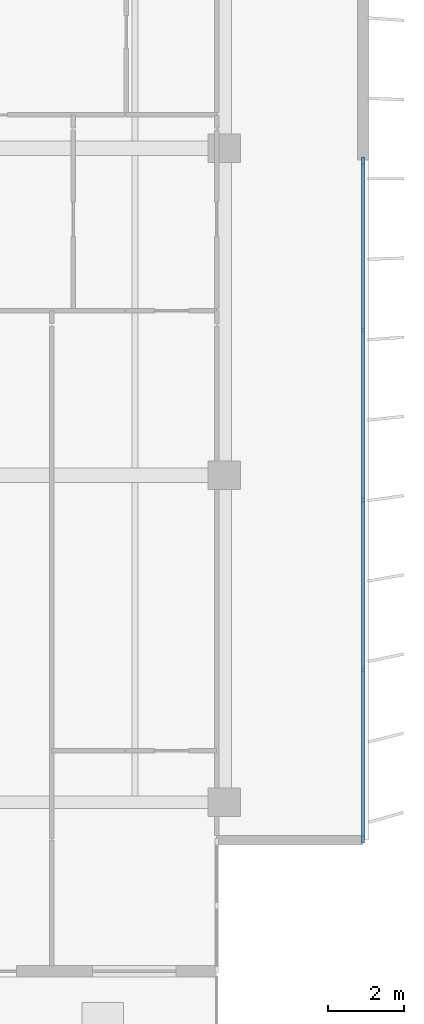
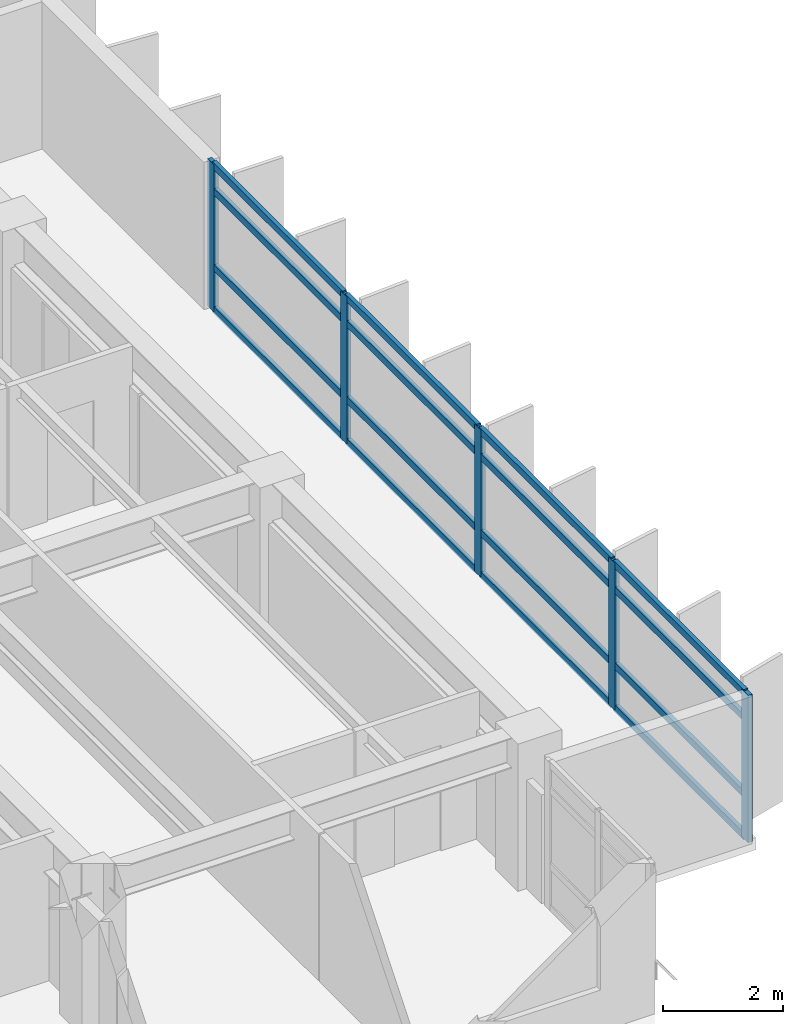
# One storey, part 6 of 18: 21 members, 1 element without a shape of its own.
"""IFC4 building model written with IfcOpenShell, lengths in metres."""

from ifc_helpers import new_model, si_unit, direction, frame, origin, origin_2d, place, context, subcontext, project, spatial, rectangle, extrude, material, layer, layer_set, material_profile, profile_set, type_object, element, aggregate, save


model = new_model("IFC4")

# Units and contexts
model_context = context("Model", 3, precision=1e-05, world=origin(), true_north=direction((0.0, 1.0)))
body_context = subcontext(model_context, "Body", "Model", "MODEL_VIEW")
ifc_project = project(units=[si_unit("LENGTHUNIT", "METRE"), si_unit("AREAUNIT", "SQUARE_METRE"), si_unit("VOLUMEUNIT", "CUBIC_METRE"), si_unit("PLANEANGLEUNIT", "RADIAN"), si_unit("MASSUNIT", "GRAM", prefix="KILO")], contexts=[model_context])

# Site, building, storey
site_placement = place(None, origin())
site = spatial("IfcSite", under=ifc_project, at=site_placement, CompositionType="ELEMENT")
building_placement = place(site_placement, origin())
building = spatial("IfcBuilding", under=site, at=building_placement, Name="Caelmar Bay Residences", CompositionType="ELEMENT")
storey_placement = place(building_placement, frame((0.0, 0.0, 180.300048828125)))
storey = spatial("IfcBuildingStorey", under=building, at=storey_placement, Name="L50", CompositionType="ELEMENT", Elevation=180.300048828125)

# Curtain wall, members
ifc_material_1 = material(Name="Anodised bronze aluminium 6063-T6 and laminated glass", Category="aluminium")
ifc_layer = layer(ifc_material_1, 0.179931640625)
ifc_layer_set = layer_set([ifc_layer], Name="Anodised bronze aluminium 6063-T6 and laminated glass")
curtain_wall_type = type_object("IfcCurtainWallType", Name="CW4-Z3", PredefinedType="NOTDEFINED", material=ifc_layer_set)
curtain_wall_placement = place(storey_placement, origin())
curtain_wall = element("IfcCurtainWall", 1, at=curtain_wall_placement, inside=storey, type_object=curtain_wall_type, Name="CW4 curtain wall L50", PredefinedType="NOTDEFINED")
ifc_material_2 = material(Name="Anodised bronze aluminium 6063-T6", Category="aluminium")
ifc_material_profile_1 = material_profile(ifc_material_2, rectangle(XDim=0.080078125, YDim=0.219970703125, at=origin_2d()), Name="CWM-80X220")
ifc_profile_set_1 = profile_set([ifc_material_profile_1], Name="Anodised bronze aluminium 6063-T6")
member_type_1 = type_object("IfcMemberType", Name="CWM-220", PredefinedType="MULLION", material=ifc_profile_set_1)
member_1_placement = place(storey_placement, frame((71.550048828125, 29.06005859375, 0.0), z_axis=(0.0, 0.0, 1.0), x_axis=(1.0, 0.0, 0.0)))
member_1 = element("IfcMember", 2, at=member_1_placement, type_object=member_type_1, Name="CW4 mullion 1", PredefinedType="MULLION", context=body_context, shape_type="SweptSolid", body=[
    extrude(rectangle(XDim=0.080078125, YDim=0.219970703125, at=origin_2d()), origin(), (0.0, 0.0, 1.0), 3.0),
])
member_2_placement = place(storey_placement, frame((71.550048828125, 24.625, 0.0), z_axis=(0.0, 0.0, 1.0), x_axis=(1.0, 0.0, 0.0)))
member_2 = element("IfcMember", 3, at=member_2_placement, type_object=member_type_1, Name="CW4 mullion 2", PredefinedType="MULLION", context=body_context, shape_type="SweptSolid", body=[
    extrude(rectangle(XDim=0.080078125, YDim=0.219970703125, at=origin_2d()), origin(), (0.0, 0.0, 1.0), 3.0),
])
member_3_placement = place(storey_placement, frame((71.550048828125, 20.14990234375, 0.0), z_axis=(0.0, 0.0, 1.0), x_axis=(1.0, 0.0, 0.0)))
member_3 = element("IfcMember", 4, at=member_3_placement, type_object=member_type_1, Name="CW4 mullion 3", PredefinedType="MULLION", context=body_context, shape_type="SweptSolid", body=[
    extrude(rectangle(XDim=0.080078125, YDim=0.219970703125, at=origin_2d()), origin(), (0.0, 0.0, 1.0), 3.0),
])
member_4_placement = place(storey_placement, frame((71.550048828125, 15.675048828125, 0.0), z_axis=(0.0, 0.0, 1.0), x_axis=(1.0, 0.0, 0.0)))
member_4 = element("IfcMember", 5, at=member_4_placement, type_object=member_type_1, Name="CW4 mullion 4", PredefinedType="MULLION", context=body_context, shape_type="SweptSolid", body=[
    extrude(rectangle(XDim=0.080078125, YDim=0.219970703125, at=origin_2d()), origin(), (0.0, 0.0, 1.0), 3.0),
])
member_5_placement = place(storey_placement, frame((71.550048828125, 11.239990234375, 0.0), z_axis=(0.0, 0.0, 1.0), x_axis=(1.0, 0.0, 0.0)))
member_5 = element("IfcMember", 6, at=member_5_placement, type_object=member_type_1, Name="CW4 mullion 5", PredefinedType="MULLION", context=body_context, shape_type="SweptSolid", body=[
    extrude(rectangle(XDim=0.080078125, YDim=0.219970703125, at=origin_2d()), origin(), (0.0, 0.0, 1.0), 3.0),
])
ifc_material_profile_2 = material_profile(ifc_material_2, rectangle(XDim=0.080078125, YDim=0.139892578125, at=origin_2d()), Name="CWT-80X140")
ifc_profile_set_2 = profile_set([ifc_material_profile_2], Name="Anodised bronze aluminium 6063-T6")
member_type_2 = type_object("IfcMemberType", Name="CWT-140", PredefinedType="NOTDEFINED", material=ifc_profile_set_2)
member_6_placement = place(storey_placement, frame((71.550048828125, 29.02001953125, 0.0400390625), z_axis=(0.0, -1.0, 0.0), x_axis=(1.0, 0.0, 0.0)))
member_6 = element("IfcMember", 7, at=member_6_placement, type_object=member_type_2, Name="CW4 transom 1.1", ObjectType="TRANSOM", PredefinedType="USERDEFINED", context=body_context, shape_type="SweptSolid", body=[
    extrude(rectangle(XDim=0.080078125, YDim=0.139892578125, at=origin_2d()), origin(), (0.0, 0.0, 1.0), 4.35498046875),
])
member_7_placement = place(storey_placement, frame((71.550048828125, 29.02001953125, 0.89990234375), z_axis=(0.0, -1.0, 0.0), x_axis=(1.0, 0.0, 0.0)))
member_7 = element("IfcMember", 8, at=member_7_placement, type_object=member_type_2, Name="CW4 transom 1.2", ObjectType="TRANSOM", PredefinedType="USERDEFINED", context=body_context, shape_type="SweptSolid", body=[
    extrude(rectangle(XDim=0.080078125, YDim=0.139892578125, at=origin_2d()), origin(), (0.0, 0.0, 1.0), 4.35498046875),
])
member_8_placement = place(storey_placement, frame((71.550048828125, 29.02001953125, 2.449951171875), z_axis=(0.0, -1.0, 0.0), x_axis=(1.0, 0.0, 0.0)))
member_8 = element("IfcMember", 9, at=member_8_placement, type_object=member_type_2, Name="CW4 transom 1.3", ObjectType="TRANSOM", PredefinedType="USERDEFINED", context=body_context, shape_type="SweptSolid", body=[
    extrude(rectangle(XDim=0.080078125, YDim=0.139892578125, at=origin_2d()), origin(), (0.0, 0.0, 1.0), 4.35498046875),
])
member_9_placement = place(storey_placement, frame((71.550048828125, 29.02001953125, 2.9599609375), z_axis=(0.0, -1.0, 0.0), x_axis=(1.0, 0.0, 0.0)))
member_9 = element("IfcMember", 10, at=member_9_placement, type_object=member_type_2, Name="CW4 transom 1.4", ObjectType="TRANSOM", PredefinedType="USERDEFINED", context=body_context, shape_type="SweptSolid", body=[
    extrude(rectangle(XDim=0.080078125, YDim=0.139892578125, at=origin_2d()), origin(), (0.0, 0.0, 1.0), 4.35498046875),
])
member_10_placement = place(storey_placement, frame((71.550048828125, 24.5849609375, 0.0400390625), z_axis=(0.0, -1.0, 0.0), x_axis=(1.0, 0.0, 0.0)))
member_10 = element("IfcMember", 11, at=member_10_placement, type_object=member_type_2, Name="CW4 transom 2.1", ObjectType="TRANSOM", PredefinedType="USERDEFINED", context=body_context, shape_type="SweptSolid", body=[
    extrude(rectangle(XDim=0.080078125, YDim=0.139892578125, at=origin_2d()), origin(), (0.0, 0.0, 1.0), 4.39501953125),
])
member_11_placement = place(storey_placement, frame((71.550048828125, 24.5849609375, 0.89990234375), z_axis=(0.0, -1.0, 0.0), x_axis=(1.0, 0.0, 0.0)))
member_11 = element("IfcMember", 12, at=member_11_placement, type_object=member_type_2, Name="CW4 transom 2.2", ObjectType="TRANSOM", PredefinedType="USERDEFINED", context=body_context, shape_type="SweptSolid", body=[
    extrude(rectangle(XDim=0.080078125, YDim=0.139892578125, at=origin_2d()), origin(), (0.0, 0.0, 1.0), 4.39501953125),
])
member_12_placement = place(storey_placement, frame((71.550048828125, 24.5849609375, 2.449951171875), z_axis=(0.0, -1.0, 0.0), x_axis=(1.0, 0.0, 0.0)))
member_12 = element("IfcMember", 13, at=member_12_placement, type_object=member_type_2, Name="CW4 transom 2.3", ObjectType="TRANSOM", PredefinedType="USERDEFINED", context=body_context, shape_type="SweptSolid", body=[
    extrude(rectangle(XDim=0.080078125, YDim=0.139892578125, at=origin_2d()), origin(), (0.0, 0.0, 1.0), 4.39501953125),
])
member_13_placement = place(storey_placement, frame((71.550048828125, 24.5849609375, 2.9599609375), z_axis=(0.0, -1.0, 0.0), x_axis=(1.0, 0.0, 0.0)))
member_13 = element("IfcMember", 14, at=member_13_placement, type_object=member_type_2, Name="CW4 transom 2.4", ObjectType="TRANSOM", PredefinedType="USERDEFINED", context=body_context, shape_type="SweptSolid", body=[
    extrude(rectangle(XDim=0.080078125, YDim=0.139892578125, at=origin_2d()), origin(), (0.0, 0.0, 1.0), 4.39501953125),
])
member_14_placement = place(storey_placement, frame((71.550048828125, 20.110107421875, 0.0400390625), z_axis=(0.0, -1.0, 0.0), x_axis=(1.0, 0.0, 0.0)))
member_14 = element("IfcMember", 15, at=member_14_placement, type_object=member_type_2, Name="CW4 transom 3.1", ObjectType="TRANSOM", PredefinedType="USERDEFINED", context=body_context, shape_type="SweptSolid", body=[
    extrude(rectangle(XDim=0.080078125, YDim=0.139892578125, at=origin_2d()), origin(), (0.0, 0.0, 1.0), 4.39501953125),
])
member_15_placement = place(storey_placement, frame((71.550048828125, 20.110107421875, 0.89990234375), z_axis=(0.0, -1.0, 0.0), x_axis=(1.0, 0.0, 0.0)))
member_15 = element("IfcMember", 16, at=member_15_placement, type_object=member_type_2, Name="CW4 transom 3.2", ObjectType="TRANSOM", PredefinedType="USERDEFINED", context=body_context, shape_type="SweptSolid", body=[
    extrude(rectangle(XDim=0.080078125, YDim=0.139892578125, at=origin_2d()), origin(), (0.0, 0.0, 1.0), 4.39501953125),
])
member_16_placement = place(storey_placement, frame((71.550048828125, 20.110107421875, 2.449951171875), z_axis=(0.0, -1.0, 0.0), x_axis=(1.0, 0.0, 0.0)))
member_16 = element("IfcMember", 17, at=member_16_placement, type_object=member_type_2, Name="CW4 transom 3.3", ObjectType="TRANSOM", PredefinedType="USERDEFINED", context=body_context, shape_type="SweptSolid", body=[
    extrude(rectangle(XDim=0.080078125, YDim=0.139892578125, at=origin_2d()), origin(), (0.0, 0.0, 1.0), 4.39501953125),
])
member_17_placement = place(storey_placement, frame((71.550048828125, 20.110107421875, 2.9599609375), z_axis=(0.0, -1.0, 0.0), x_axis=(1.0, 0.0, 0.0)))
member_17 = element("IfcMember", 18, at=member_17_placement, type_object=member_type_2, Name="CW4 transom 3.4", ObjectType="TRANSOM", PredefinedType="USERDEFINED", context=body_context, shape_type="SweptSolid", body=[
    extrude(rectangle(XDim=0.080078125, YDim=0.139892578125, at=origin_2d()), origin(), (0.0, 0.0, 1.0), 4.39501953125),
])
member_18_placement = place(storey_placement, frame((71.550048828125, 15.635009765625, 0.0400390625), z_axis=(0.0, -1.0, 0.0), x_axis=(1.0, 0.0, 0.0)))
member_18 = element("IfcMember", 19, at=member_18_placement, type_object=member_type_2, Name="CW4 transom 4.1", ObjectType="TRANSOM", PredefinedType="USERDEFINED", context=body_context, shape_type="SweptSolid", body=[
    extrude(rectangle(XDim=0.080078125, YDim=0.139892578125, at=origin_2d()), origin(), (0.0, 0.0, 1.0), 4.35498046875),
])
member_19_placement = place(storey_placement, frame((71.550048828125, 15.635009765625, 0.89990234375), z_axis=(0.0, -1.0, 0.0), x_axis=(1.0, 0.0, 0.0)))
member_19 = element("IfcMember", 20, at=member_19_placement, type_object=member_type_2, Name="CW4 transom 4.2", ObjectType="TRANSOM", PredefinedType="USERDEFINED", context=body_context, shape_type="SweptSolid", body=[
    extrude(rectangle(XDim=0.080078125, YDim=0.139892578125, at=origin_2d()), origin(), (0.0, 0.0, 1.0), 4.35498046875),
])
member_20_placement = place(storey_placement, frame((71.550048828125, 15.635009765625, 2.449951171875), z_axis=(0.0, -1.0, 0.0), x_axis=(1.0, 0.0, 0.0)))
member_20 = element("IfcMember", 21, at=member_20_placement, type_object=member_type_2, Name="CW4 transom 4.3", ObjectType="TRANSOM", PredefinedType="USERDEFINED", context=body_context, shape_type="SweptSolid", body=[
    extrude(rectangle(XDim=0.080078125, YDim=0.139892578125, at=origin_2d()), origin(), (0.0, 0.0, 1.0), 4.35498046875),
])
member_21_placement = place(storey_placement, frame((71.550048828125, 15.635009765625, 2.9599609375), z_axis=(0.0, -1.0, 0.0), x_axis=(1.0, 0.0, 0.0)))
member_21 = element("IfcMember", 22, at=member_21_placement, type_object=member_type_2, Name="CW4 transom 4.4", ObjectType="TRANSOM", PredefinedType="USERDEFINED", context=body_context, shape_type="SweptSolid", body=[
    extrude(rectangle(XDim=0.080078125, YDim=0.139892578125, at=origin_2d()), origin(), (0.0, 0.0, 1.0), 4.35498046875),
])
aggregate(curtain_wall, [member_1, member_2, member_3, member_4, member_5, member_6, member_7, member_8, member_9, member_10, member_11, member_12, member_13, member_14, member_15, member_16, member_17, member_18, member_19, member_20, member_21])

save(model, "model.ifc")
